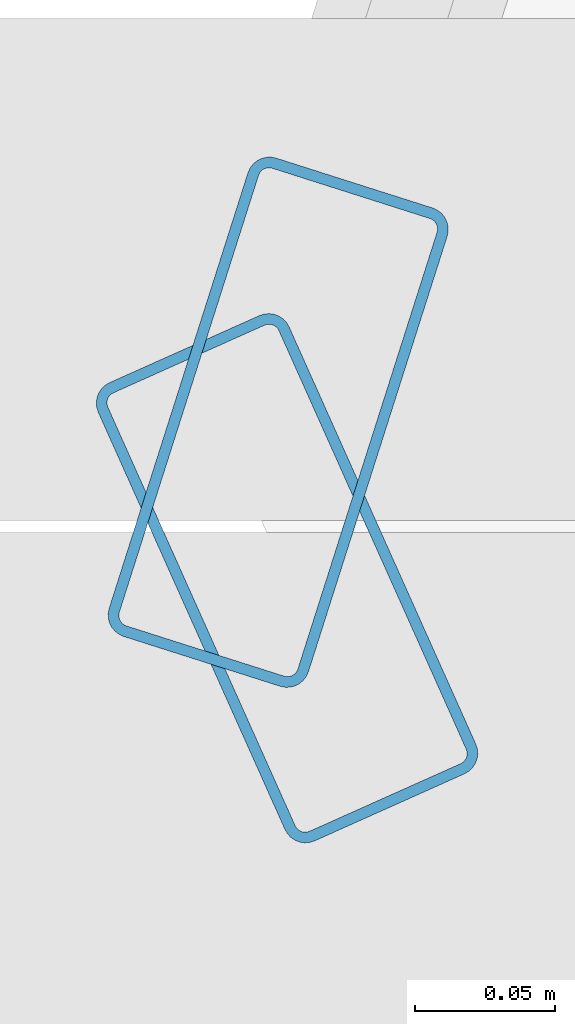
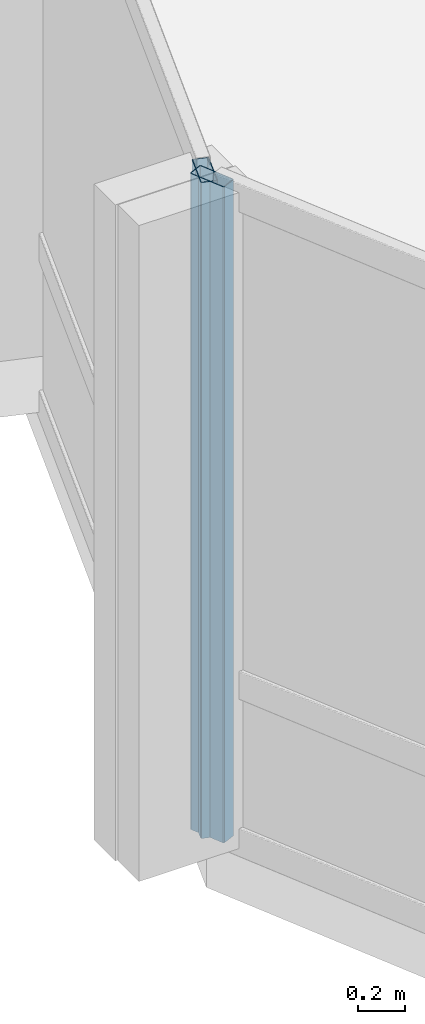
# One storey, part 6 of 19: 2 members, 2 elements without a shape of their own.
"""IFC4 building model written with IfcOpenShell, lengths in metres."""

from ifc_helpers import new_model, si_unit, direction, frame, origin, origin_2d, place, context, subcontext, project, spatial, hollow_rectangle, extrude, material, layer, layer_set, material_profile, profile_set, type_object, element, aggregate, save


model = new_model("IFC4")

# Units and contexts
model_context = context("Model", 3, precision=1e-05, world=origin(), true_north=direction((0.0, 1.0)))
body_context = subcontext(model_context, "Body", "Model", "MODEL_VIEW")
ifc_project = project(units=[si_unit("LENGTHUNIT", "METRE"), si_unit("AREAUNIT", "SQUARE_METRE"), si_unit("VOLUMEUNIT", "CUBIC_METRE"), si_unit("PLANEANGLEUNIT", "RADIAN"), si_unit("MASSUNIT", "GRAM", prefix="KILO")], contexts=[model_context])

# Site, building, storey
site_placement = place(None, origin())
site = spatial("IfcSite", under=ifc_project, at=site_placement, CompositionType="ELEMENT")
building_placement = place(site_placement, origin())
building = spatial("IfcBuilding", under=site, at=building_placement, Name="Solvaryn Broadcast Tower", CompositionType="ELEMENT")
storey_placement = place(building_placement, frame((0.0, 0.0, 255.60009765625)))
storey = spatial("IfcBuildingStorey", under=building, at=storey_placement, Name="L64", CompositionType="ELEMENT", Elevation=255.60009765625)

# Curtain wall, member
ifc_material_1 = material(Name="Aluminium and Terracotta Unitised Curtain Wall", Category="masonry")
ifc_layer_1 = layer(ifc_material_1, 0.199951171875)
ifc_layer_set_1 = layer_set([ifc_layer_1], Name="CW-SYS2-LOWMID")
curtain_wall_type_1 = type_object("IfcCurtainWallType", Name="CW-SYS2-LOWMID", PredefinedType="NOTDEFINED", material=ifc_layer_set_1)
curtain_wall_1_placement = place(storey_placement, origin())
curtain_wall_1 = element("IfcCurtainWall", 1, at=curtain_wall_1_placement, inside=storey, type_object=curtain_wall_type_1, Name="L64 Curtain Wall DR1", PredefinedType="NOTDEFINED")
ifc_material_2 = material(Name="Anodised Aluminium 6063-T6", Category="aluminium")
ifc_material_profile = material_profile(ifc_material_2, hollow_rectangle(XDim=0.074951171875, YDim=0.179931640625, WallThickness=0.00390625, InnerFilletRadius=0.00390625, OuterFilletRadius=0.008056640625, at=origin_2d()))
ifc_profile_set = profile_set([ifc_material_profile], Name="Anodised Aluminium 6063-T6")
member_type = type_object("IfcMemberType", Name="CW-MUL-180", PredefinedType="MULLION", material=ifc_profile_set)
member_1_placement = place(storey_placement, frame((3.7470703125, 26.66455078125, 0.0), z_axis=(0.0, 0.0, 1.0), x_axis=(0.952794594701, -0.30361564569, 0.0)))
member_1 = element("IfcMember", 2, at=member_1_placement, type_object=member_type, Name="CWS2 mullion 2", PredefinedType="MULLION", context=body_context, shape_type="SweptSolid", body=[
    extrude(hollow_rectangle(XDim=0.074951171875, YDim=0.179931640625, WallThickness=0.00390625, InnerFilletRadius=0.00390625, OuterFilletRadius=0.008056640625, at=origin_2d()), origin(), (0.0, 0.0, 1.0), 3.419921875),
])
aggregate(curtain_wall_1, [member_1])

ifc_material_3 = material(Name="Aluminium and Terracotta Unitised Curtain Wall", Category="masonry")
ifc_layer_2 = layer(ifc_material_3, 0.239990234375)
ifc_layer_set_2 = layer_set([ifc_layer_2], Name="CW-SYS3-BAYBOX")
curtain_wall_type_2 = type_object("IfcCurtainWallType", Name="CW-SYS3-BAYBOX", PredefinedType="NOTDEFINED", material=ifc_layer_set_2)
curtain_wall_2_placement = place(storey_placement, origin())
curtain_wall_2 = element("IfcCurtainWall", 3, at=curtain_wall_2_placement, inside=storey, type_object=curtain_wall_type_2, Name="L64 Curtain Wall DR2", PredefinedType="NOTDEFINED")
member_2_placement = place(storey_placement, frame((3.750244140625, 26.608642578125, 0.0), z_axis=(0.0, 0.0, 1.0), x_axis=(0.912773530574, 0.408466010682, 0.0)))
member_2 = element("IfcMember", 4, at=member_2_placement, type_object=member_type, Name="CWS3 mullion 1", PredefinedType="MULLION", context=body_context, shape_type="SweptSolid", body=[
    extrude(hollow_rectangle(XDim=0.074951171875, YDim=0.179931640625, WallThickness=0.00390625, InnerFilletRadius=0.00390625, OuterFilletRadius=0.008056640625, at=origin_2d()), origin(), (0.0, 0.0, 1.0), 3.419921875),
])
aggregate(curtain_wall_2, [member_2])

save(model, "model.ifc")
